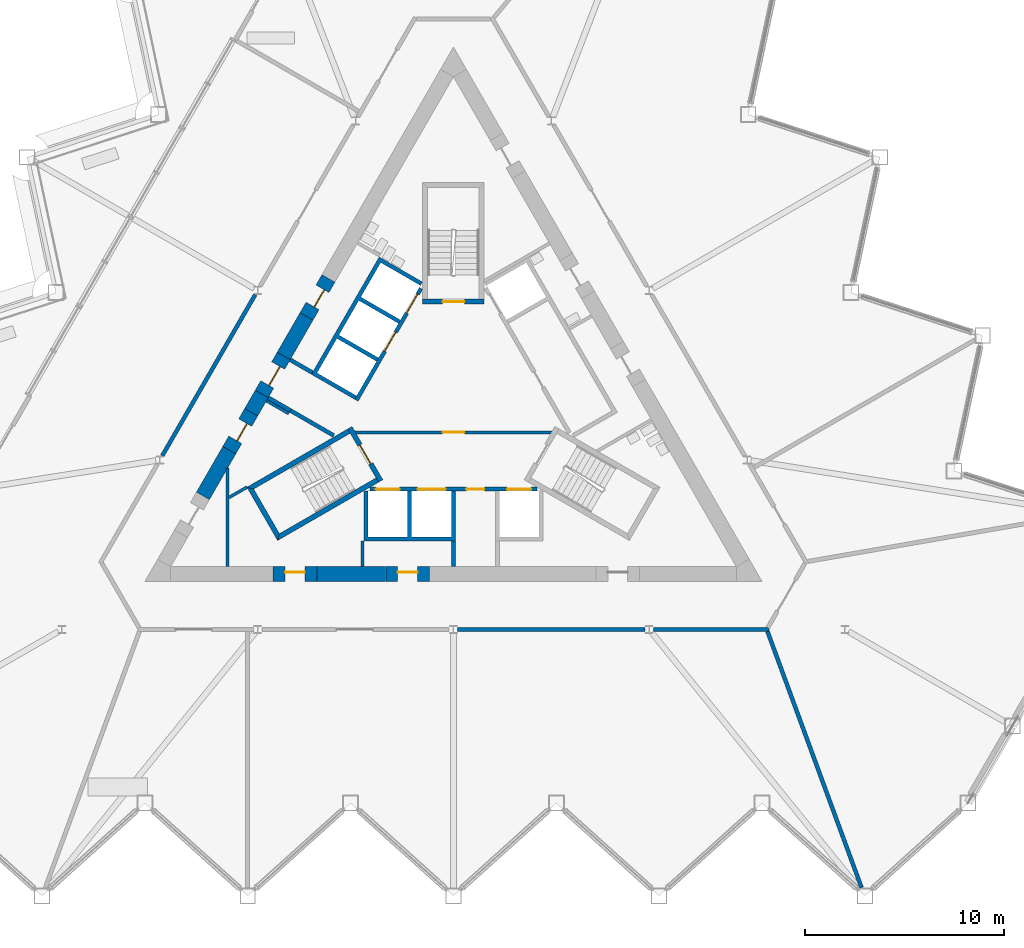
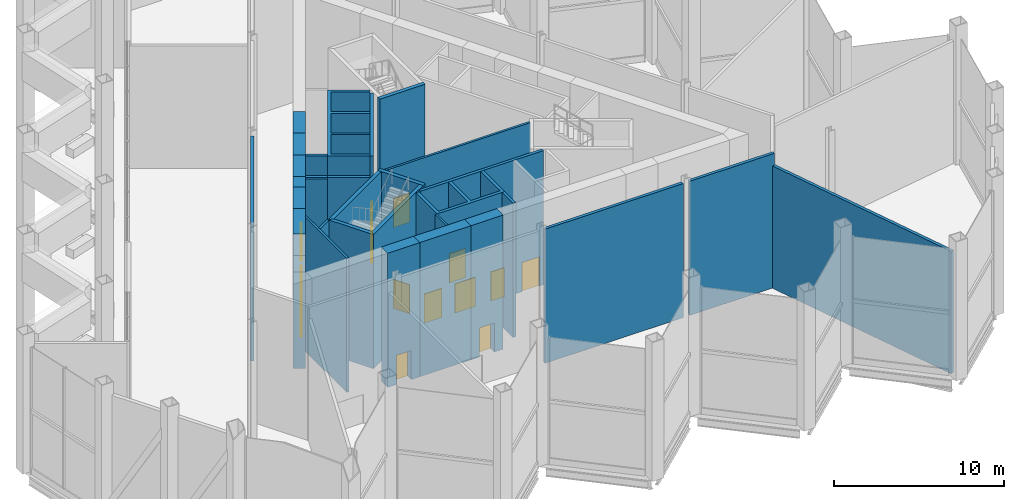
# One storey, part 9 of 18: 31 walls, 14 doors, 14 openings.
"""IFC4 building model written with IfcOpenShell, lengths in metres."""

from ifc_helpers import new_model, si_unit, direction, frame, frame_2d, origin, place, context, subcontext, project, spatial, polyline, rectangle, outline, extrude, material, layer, layer_set, type_object, element, fill, save


model = new_model("IFC4")

# Units and contexts
model_context = context("Model", 3, precision=1e-05, world=origin(), true_north=direction((0.0, 1.0)))
body_context = subcontext(model_context, "Body", "Model", "MODEL_VIEW")
ifc_project = project(units=[si_unit("LENGTHUNIT", "METRE"), si_unit("AREAUNIT", "SQUARE_METRE"), si_unit("VOLUMEUNIT", "CUBIC_METRE"), si_unit("PLANEANGLEUNIT", "RADIAN"), si_unit("MASSUNIT", "GRAM", prefix="KILO")], contexts=[model_context])

# Site, building, storey
site_placement = place(None, origin())
site = spatial("IfcSite", under=ifc_project, at=site_placement, CompositionType="ELEMENT")
building_placement = place(site_placement, origin())
building = spatial("IfcBuilding", under=site, at=building_placement, Name="Cormorant Prow Tower", CompositionType="ELEMENT")
storey_placement = place(building_placement, frame((0.0, 0.0, 216.0)))
storey = spatial("IfcBuildingStorey", under=building, at=storey_placement, Name="L48", CompositionType="ELEMENT", Elevation=216.0)

# Wall, opening, door
ifc_material_1 = material(Name="Gypsum board partition")
ifc_layer_1 = layer(ifc_material_1, 0.14990234375)
ifc_layer_set_1 = layer_set([ifc_layer_1], Name="Gypsum board partition")
wall_type_1 = type_object("IfcWallType", Name="Core partition 150", PredefinedType="PARTITIONING", material=ifc_layer_set_1)
wall_1_placement = place(storey_placement, frame((-4.941162109375, -1.449951171875, 0.0), z_axis=(0.0, 0.0, 1.0), x_axis=(1.0, 0.0, 0.0)))
wall_1 = element("IfcWall", 1, at=wall_1_placement, inside=storey, type_object=wall_type_1, Name="Firefighting lobby partition", PredefinedType="PARTITIONING", context=body_context, shape_type="SweptSolid", body=[
    extrude(rectangle(XDim=9.88232421875, YDim=0.14990234375, at=frame_2d((4.941162109375, 0.0))), origin(), (0.0, 0.0, 1.0), 9.64990234375),
])
opening_1_placement = place(wall_1_placement, frame((4.39111328125, 0.0, 0.0)))
opening_1 = element("IfcOpeningElement", 2, at=opening_1_placement, cuts=wall_1, Name="Opening L48-C09", PredefinedType="OPENING", context=body_context, shape_type="SweptSolid", body=[
    extrude(rectangle(XDim=1.10009765625, YDim=2.10009765625, at=frame_2d((0.550048828125, 1.050048828125))), frame((0.0, 0.0849609375, 0.0), z_axis=(0.0, -1.0, 0.0), x_axis=(1.0, 0.0, 0.0)), (0.0, 0.0, 1.0), 0.169921875),
])
ifc_material_2 = material(Name="Painted steel", Category="steel")
door_type_1 = type_object("IfcDoorType", Name="Firefighting lobby door 1100x2100", OperationType="NOTDEFINED", PredefinedType="DOOR", material=ifc_material_2)
door_1_placement = place(opening_1_placement, origin())
door_1 = element("IfcDoor", 3, at=door_1_placement, inside=storey, type_object=door_type_1, Name="Firefighting lobby door", OperationType="SINGLE_SWING_LEFT", OverallHeight=2.10009765625, OverallWidth=1.10009765625, PredefinedType="DOOR", context=body_context, shape_type="SweptSolid", body=[
    extrude(rectangle(XDim=1.10009765625, YDim=2.10009765625, at=frame_2d((0.550048828125, 1.050048828125))), frame((0.0, 0.02490234375, 0.0), z_axis=(0.0, -1.0, 0.0), x_axis=(1.0, 0.0, 0.0)), (0.0, 0.0, 1.0), 0.050048828125),
])
fill(opening_1, door_1)

# Walls
for number, where, z_axis, x_axis, name in (
    (4, (-8.268310546875, -0.509033203125, 0.0), (0.0, 0.0, 1.0), (-0.866003189247, 0.500038474733, 0.0), "Service room partition"),
    (5, (-4.574951171875, -6.906005859375, 0.0), (0.0, 0.0, 1.0), (0.0, -1.0, 0.0), "Service room partition"),
):
    element("IfcWall", number, at=place(storey_placement, frame(where, z_axis=z_axis, x_axis=x_axis)), inside=storey, type_object=wall_type_1, Name=name, PredefinedType="PARTITIONING", context=body_context, shape_type="SweptSolid", body=[
        extrude(rectangle(XDim=1.29296875, YDim=0.14990234375, at=frame_2d((0.646484375, 0.0))), origin(), (0.0, 0.0, 1.0), 9.64990234375),
    ])
wall_2_placement = place(storey_placement, frame((-11.335693359375, -8.198974609375, 0.0), z_axis=(0.0, 0.0, 1.0), x_axis=(0.0, 1.0, 0.0)))
element("IfcWall", 6, at=wall_2_placement, inside=storey, type_object=wall_type_1, Name="Service room partition", PredefinedType="PARTITIONING", context=body_context, shape_type="SweptSolid", body=[
    extrude(rectangle(XDim=4.962890625, YDim=0.14990234375, at=frame_2d((2.4814453125, 0.0))), origin(), (0.0, 0.0, 1.0), 9.64990234375),
])
wall_3_placement = place(storey_placement, frame((-10.37353515625, -4.206298828125, 0.0), z_axis=(0.0, 0.0, 1.0), x_axis=(-0.866034781647, -0.499983756713, 0.0)))
element("IfcWall", 7, at=wall_3_placement, inside=storey, type_object=wall_type_1, Name="Service room partition", PredefinedType="PARTITIONING", context=body_context, shape_type="SweptSolid", body=[
    extrude(rectangle(XDim=1.0244140625, YDim=0.14990234375, at=frame_2d((0.51220703125, 0.0))), origin(), (0.0, 0.0, 1.0), 9.64990234375),
])
ifc_material_3 = material(Name="Concrete 8000 psi", Category="concrete")
ifc_layer_2 = layer(ifc_material_3, 0.75)
ifc_layer_set_2 = layer_set([ifc_layer_2], Name="Concrete 8000 psi")
wall_type_2 = type_object("IfcWallType", Name="Core shear wall 750", PredefinedType="SHEAR", material=ifc_layer_set_2)
wall_4_placement = place(storey_placement, frame((-6.855224609375, -8.573974609375, 0.0), z_axis=(0.0, 0.0, 1.0), x_axis=(1.0, 0.0, 0.0)))
element("IfcWall", 8, at=wall_4_placement, inside=storey, type_object=wall_type_2, Name="Core wall", PredefinedType="SHEAR", context=body_context, shape_type="SweptSolid", body=[
    extrude(rectangle(XDim=3.455322265625, YDim=0.75, at=frame_2d((1.7275390625, 0.0))), origin(), (0.0, 0.0, 1.0), 9.64990234375),
])
wall_5_placement = place(storey_placement, frame((-11.25537109375, -2.346923828125, 0.0), z_axis=(0.0, 0.0, 1.0), x_axis=(-0.499982920237, -0.866035264566, 0.0)))
element("IfcWall", 9, at=wall_5_placement, inside=storey, type_object=wall_type_2, Name="Core wall", PredefinedType="SHEAR", context=body_context, shape_type="SweptSolid", body=[
    extrude(rectangle(XDim=2.650390625, YDim=0.75, at=frame_2d((1.3251953125, 0.0))), origin(), (0.0, 0.0, 1.0), 9.64990234375),
])
wall_6_placement = place(storey_placement, frame((-7.375244140625, 4.37353515625, 0.0), z_axis=(0.0, 0.0, 1.0), x_axis=(-0.499952165731, -0.866053019151, 0.0)))
element("IfcWall", 10, at=wall_6_placement, inside=storey, type_object=wall_type_2, Name="Core wall", PredefinedType="SHEAR", context=body_context, shape_type="SweptSolid", body=[
    extrude(rectangle(XDim=2.300048828125, YDim=0.75, at=frame_2d((1.14990234375, 0.0))), origin(), (0.0, 0.0, 1.0), 9.64990234375),
])
wall_7_placement = place(storey_placement, frame((-9.625244140625, 0.4765625, 0.0), z_axis=(0.0, 0.0, 1.0), x_axis=(-0.499928435111, -0.86606671785, 0.0)))
element("IfcWall", 11, at=wall_7_placement, inside=storey, type_object=wall_type_2, Name="Core wall", PredefinedType="SHEAR", context=body_context, shape_type="SweptSolid", body=[
    extrude(rectangle(XDim=1.060302734375, YDim=0.75, at=frame_2d((0.5302734375, 0.0))), origin(), (0.0, 0.0, 1.0), 9.64990234375),
])

# Wall, opening, door
wall_8_placement = place(storey_placement, frame((-3.39990234375, -8.573974609375, 0.0), z_axis=(0.0, 0.0, 1.0), x_axis=(1.0, 0.0, 0.0)))
wall_8 = element("IfcWall", 12, at=wall_8_placement, inside=storey, type_object=wall_type_2, Name="Core wall door panel", PredefinedType="SHEAR", context=body_context, shape_type="SweptSolid", body=[
    extrude(rectangle(XDim=2.199951171875, YDim=0.75, at=frame_2d((1.10009765625, 0.0))), origin(), (0.0, 0.0, 1.0), 9.64990234375),
])
opening_2_placement = place(wall_8_placement, frame((0.60009765625, 0.0, 0.0)))
opening_2 = element("IfcOpeningElement", 13, at=opening_2_placement, cuts=wall_8, Name="Opening L48-C13", PredefinedType="OPENING", context=body_context, shape_type="SweptSolid", body=[
    extrude(rectangle(XDim=1.0, YDim=2.10009765625, at=frame_2d((0.5, 1.050048828125))), frame((0.0, 0.385009765625, 0.0), z_axis=(0.0, -1.0, 0.0), x_axis=(1.0, 0.0, 0.0)), (0.0, 0.0, 1.0), 0.77001953125),
])
ifc_material_4 = material(Name="Painted steel", Category="steel")
door_type_2 = type_object("IfcDoorType", Name="Service door 1000x2100", OperationType="NOTDEFINED", PredefinedType="DOOR", material=ifc_material_4)
door_2_placement = place(opening_2_placement, origin())
door_2 = element("IfcDoor", 14, at=door_2_placement, inside=storey, type_object=door_type_2, Name="Core door, Telecom room", OperationType="SINGLE_SWING_RIGHT", OverallHeight=2.10009765625, OverallWidth=1.0, PredefinedType="DOOR", context=body_context, shape_type="SweptSolid", body=[
    extrude(rectangle(XDim=1.0, YDim=2.10009765625, at=frame_2d((0.5, 1.050048828125))), frame((0.0, 0.1298828125, 0.0), z_axis=(0.0, -1.0, 0.0), x_axis=(1.0, 0.0, 0.0)), (0.0, 0.0, 1.0), 0.050048828125),
])
fill(opening_2, door_2)

wall_9_placement = place(storey_placement, frame((-9.055419921875, -8.573974609375, 0.0), z_axis=(0.0, 0.0, 1.0), x_axis=(1.0, 0.0, 0.0)))
wall_9 = element("IfcWall", 15, at=wall_9_placement, inside=storey, type_object=wall_type_2, Name="Core wall door panel", PredefinedType="SHEAR", context=body_context, shape_type="SweptSolid", body=[
    extrude(rectangle(XDim=2.2001953125, YDim=0.75, at=frame_2d((1.10009765625, 0.0))), origin(), (0.0, 0.0, 1.0), 9.64990234375),
])
opening_3_placement = place(wall_9_placement, frame((0.60009765625, 0.0, 0.0)))
opening_3 = element("IfcOpeningElement", 16, at=opening_3_placement, cuts=wall_9, Name="Opening L48-C16", PredefinedType="OPENING", context=body_context, shape_type="SweptSolid", body=[
    extrude(rectangle(XDim=1.0, YDim=2.10009765625, at=frame_2d((0.5, 1.050048828125))), frame((0.0, 0.385009765625, 0.0), z_axis=(0.0, -1.0, 0.0), x_axis=(1.0, 0.0, 0.0)), (0.0, 0.0, 1.0), 0.77001953125),
])
door_3_placement = place(opening_3_placement, origin())
door_3 = element("IfcDoor", 17, at=door_3_placement, inside=storey, type_object=door_type_2, Name="Core door, Mechanical riser room", OperationType="SINGLE_SWING_LEFT", OverallHeight=2.10009765625, OverallWidth=1.0, PredefinedType="DOOR", context=body_context, shape_type="SweptSolid", body=[
    extrude(rectangle(XDim=1.0, YDim=2.10009765625, at=frame_2d((0.5, 1.050048828125))), frame((0.0, 0.1298828125, 0.0), z_axis=(0.0, -1.0, 0.0), x_axis=(1.0, 0.0, 0.0)), (0.0, 0.0, 1.0), 0.050048828125),
])
fill(opening_3, door_3)

wall_10_placement = place(storey_placement, frame((-6.275390625, 6.27880859375, 0.0), z_axis=(0.0, 0.0, 1.0), x_axis=(-0.499946605688, -0.86605622881, 0.0)))
wall_10 = element("IfcWall", 18, at=wall_10_placement, inside=storey, type_object=wall_type_2, Name="Core wall door panel", PredefinedType="SHEAR", context=body_context, shape_type="SweptSolid", body=[
    extrude(rectangle(XDim=2.199951171875, YDim=0.75, at=frame_2d((1.10009765625, 0.0))), origin(), (0.0, 0.0, 1.0), 9.64990234375),
])
opening_4_placement = place(wall_10_placement, frame((0.60009765625, 0.0, 0.0)))
opening_4 = element("IfcOpeningElement", 19, at=opening_4_placement, cuts=wall_10, Name="Opening L48-C18", PredefinedType="OPENING", context=body_context, shape_type="SweptSolid", body=[
    extrude(rectangle(XDim=1.0, YDim=2.10009765625, at=frame_2d((0.5, 1.050048828125))), frame((0.0, 0.385009765625, 0.0), z_axis=(0.0, -1.0, 0.0), x_axis=(1.0, 0.0, 0.0)), (0.0, 0.0, 1.0), 0.77001953125),
])
door_4_placement = place(opening_4_placement, origin())
door_4 = element("IfcDoor", 20, at=door_4_placement, inside=storey, type_object=door_type_2, Name="Core door, Pantry store", OperationType="SINGLE_SWING_RIGHT", OverallHeight=2.10009765625, OverallWidth=1.0, PredefinedType="DOOR", context=body_context, shape_type="SweptSolid", body=[
    extrude(rectangle(XDim=1.0, YDim=2.10009765625, at=frame_2d((0.5, 1.050048828125))), frame((0.0, 0.1298828125, 0.0), z_axis=(0.0, -1.0, 0.0), x_axis=(1.0, 0.0, 0.0)), (0.0, 0.0, 1.0), 0.050048828125),
])
fill(opening_4, door_4)

wall_11_placement = place(storey_placement, frame((-10.155517578125, -0.441650390625, 0.0), z_axis=(0.0, 0.0, 1.0), x_axis=(-0.499946605688, -0.86605622881, 0.0)))
wall_11 = element("IfcWall", 21, at=wall_11_placement, inside=storey, type_object=wall_type_2, Name="Core wall door panel", PredefinedType="SHEAR", context=body_context, shape_type="SweptSolid", body=[
    extrude(rectangle(XDim=2.199951171875, YDim=0.75, at=frame_2d((1.10009765625, 0.0))), origin(), (0.0, 0.0, 1.0), 9.64990234375),
])
opening_5_placement = place(wall_11_placement, frame((0.60009765625, 0.0, 0.0)))
opening_5 = element("IfcOpeningElement", 22, at=opening_5_placement, cuts=wall_11, Name="Opening L48-C21", PredefinedType="OPENING", context=body_context, shape_type="SweptSolid", body=[
    extrude(rectangle(XDim=1.0, YDim=2.10009765625, at=frame_2d((0.5, 1.050048828125))), frame((0.0, 0.385009765625, 0.0), z_axis=(0.0, -1.0, 0.0), x_axis=(1.0, 0.0, 0.0)), (0.0, 0.0, 1.0), 0.77001953125),
])
door_5_placement = place(opening_5_placement, origin())
door_5 = element("IfcDoor", 23, at=door_5_placement, inside=storey, type_object=door_type_2, Name="Core door, Mechanical riser room", OperationType="SINGLE_SWING_LEFT", OverallHeight=2.10009765625, OverallWidth=1.0, PredefinedType="DOOR", context=body_context, shape_type="SweptSolid", body=[
    extrude(rectangle(XDim=1.0, YDim=2.10009765625, at=frame_2d((0.5, 1.050048828125))), frame((0.0, 0.1298828125, 0.0), z_axis=(0.0, -1.0, 0.0), x_axis=(1.0, 0.0, 0.0)), (0.0, 0.0, 1.0), 0.050048828125),
])
fill(opening_5, door_5)

wall_12_placement = place(storey_placement, frame((-8.525146484375, 2.381591796875, 0.0), z_axis=(0.0, 0.0, 1.0), x_axis=(-0.500077893725, -0.86598042715, 0.0)))
wall_12 = element("IfcWall", 24, at=wall_12_placement, inside=storey, type_object=wall_type_2, Name="Core wall door panel", PredefinedType="SHEAR", context=body_context, shape_type="SweptSolid", body=[
    extrude(rectangle(XDim=2.199951171875, YDim=0.75, at=frame_2d((1.10009765625, 0.0))), origin(), (0.0, 0.0, 1.0), 9.64990234375),
])
opening_6_placement = place(wall_12_placement, frame((0.550048828125, 0.0, 0.0)))
opening_6 = element("IfcOpeningElement", 25, at=opening_6_placement, cuts=wall_12, Name="Opening L48-C22", PredefinedType="OPENING", context=body_context, shape_type="SweptSolid", body=[
    extrude(rectangle(XDim=1.10009765625, YDim=2.10009765625, at=frame_2d((0.550048828125, 1.050048828125))), frame((0.0, 0.385009765625, 0.0), z_axis=(0.0, -1.0, 0.0), x_axis=(1.0, 0.0, 0.0)), (0.0, 0.0, 1.0), 0.77001953125),
])
ifc_material_5 = material(Name="Painted steel", Category="steel")
door_type_3 = type_object("IfcDoorType", Name="Core door 1100x2100", OperationType="NOTDEFINED", PredefinedType="DOOR", material=ifc_material_5)
door_6_placement = place(opening_6_placement, origin())
door_6 = element("IfcDoor", 26, at=door_6_placement, inside=storey, type_object=door_type_3, Name="Core door, lift lobby", OperationType="SINGLE_SWING_LEFT", OverallHeight=2.10009765625, OverallWidth=1.10009765625, PredefinedType="DOOR", context=body_context, shape_type="SweptSolid", body=[
    extrude(rectangle(XDim=1.10009765625, YDim=2.10009765625, at=frame_2d((0.550048828125, 1.050048828125))), frame((0.0, 0.1298828125, 0.0), z_axis=(0.0, -1.0, 0.0), x_axis=(1.0, 0.0, 0.0)), (0.0, 0.0, 1.0), 0.050048828125),
])
fill(opening_6, door_6)

# Walls
ifc_material_6 = material(Name="Gypsum board corridor wall")
ifc_layer_3 = layer(ifc_material_6, 0.199951171875)
ifc_layer_set_3 = layer_set([ifc_layer_3], Name="Gypsum board corridor wall")
wall_type_3 = type_object("IfcWallType", Name="Corridor wall 200", PredefinedType="PARTITIONING", material=ifc_layer_set_3)
wall_13_placement = place(storey_placement, frame((0.213623046875, -11.348876953125, 0.0), z_axis=(0.0, 0.0, 1.0), x_axis=(1.0, 0.0, 0.0)))
element("IfcWall", 27, at=wall_13_placement, inside=storey, type_object=wall_type_3, Name="Corridor wall", PredefinedType="PARTITIONING", context=body_context, shape_type="SweptSolid", body=[
    extrude(rectangle(XDim=9.401123046875, YDim=0.199951171875, at=frame_2d((4.70068359375, 0.0))), origin(), (0.0, 0.0, 1.0), 9.64990234375),
])
wall_14_placement = place(storey_placement, frame((-14.619384765625, -2.62353515625, 0.0), z_axis=(0.0, 0.0, 1.0), x_axis=(0.50000393355, 0.866023132736, 0.0)))
element("IfcWall", 28, at=wall_14_placement, inside=storey, type_object=wall_type_3, Name="Corridor wall", PredefinedType="PARTITIONING", context=body_context, shape_type="SweptSolid", body=[
    extrude(rectangle(XDim=9.3349609375, YDim=0.199951171875, at=frame_2d((4.66748046875, 0.0))), origin(), (0.0, 0.0, 1.0), 9.64990234375),
])
wall_15_placement = place(storey_placement, frame((10.042236328125, -11.348876953125, 0.0), z_axis=(0.0, 0.0, 1.0), x_axis=(1.0, 0.0, 0.0)))
element("IfcWall", 29, at=wall_15_placement, inside=storey, type_object=wall_type_3, Name="Corridor wall", PredefinedType="PARTITIONING", context=body_context, shape_type="SweptSolid", body=[
    extrude(rectangle(XDim=5.78857421875, YDim=0.199951171875, at=frame_2d((2.894287109375, 0.0))), origin(), (0.0, 0.0, 1.0), 9.64990234375),
])
ifc_material_7 = material(Name="Gypsum board demising wall")
ifc_layer_4 = layer(ifc_material_7, 0.199951171875)
ifc_layer_set_4 = layer_set([ifc_layer_4], Name="Gypsum board demising wall")
wall_type_4 = type_object("IfcWallType", Name="Demising wall 200", PredefinedType="PARTITIONING", material=ifc_layer_set_4)
wall_16_placement = place(storey_placement, frame((15.765380859375, -11.44287109375, 0.0), z_axis=(0.0, 0.0, 1.0), x_axis=(0.344647088239, -0.938732328498, 0.0)))
element("IfcWall", 30, at=wall_16_placement, inside=storey, type_object=wall_type_4, Name="Demising wall", PredefinedType="PARTITIONING", context=body_context, shape_type="SweptSolid", body=[
    extrude(rectangle(XDim=13.70849609375, YDim=0.199951171875, at=frame_2d((6.854248046875, 0.0))), origin(), (0.0, 0.0, 1.0), 8.80419921875),
])

# Wall, openings, doors
ifc_material_8 = material(Name="Concrete 5000 psi", Category="concrete")
ifc_layer_5 = layer(ifc_material_8, 0.199951171875)
ifc_layer_set_5 = layer_set([ifc_layer_5], Name="Concrete 5000 psi")
wall_type_5 = type_object("IfcWallType", Name="Lift lobby wall 200", PredefinedType="SOLIDWALL", material=ifc_layer_set_5)
wall_17_placement = place(storey_placement, frame((-4.1865234375, -4.300048828125, 0.0), z_axis=(0.0, 0.0, 1.0), x_axis=(1.0, 0.0, 0.0)))
wall_17 = element("IfcWall", 31, at=wall_17_placement, inside=storey, type_object=wall_type_5, Name="Lift lobby wall, S block", PredefinedType="SOLIDWALL", context=body_context, shape_type="SweptSolid", body=[
    extrude(rectangle(XDim=8.373046875, YDim=0.199951171875, at=frame_2d((4.1865234375, 0.0))), origin(), (0.0, 0.0, 1.0), 9.64990234375),
])
opening_7_placement = place(wall_17_placement, frame((0.28662109375, 0.0, 0.0)))
opening_7 = element("IfcOpeningElement", 32, at=opening_7_placement, cuts=wall_17, Name="Opening L48-C01", PredefinedType="OPENING", context=body_context, shape_type="SweptSolid", body=[
    extrude(rectangle(XDim=1.199951171875, YDim=2.10009765625, at=frame_2d((0.60009765625, 1.050048828125))), frame((0.0, 0.10986328125, 0.0), z_axis=(0.0, -1.0, 0.0), x_axis=(1.0, 0.0, 0.0)), (0.0, 0.0, 1.0), 0.219970703125),
])
opening_8_placement = place(wall_17_placement, frame((2.38671875, 0.0, 0.0)))
opening_8 = element("IfcOpeningElement", 33, at=opening_8_placement, cuts=wall_17, Name="Opening L48-C02", PredefinedType="OPENING", context=body_context, shape_type="SweptSolid", body=[
    extrude(rectangle(XDim=1.39990234375, YDim=2.10009765625, at=frame_2d((0.699951171875, 1.050048828125))), frame((0.0, 0.10986328125, 0.0), z_axis=(0.0, -1.0, 0.0), x_axis=(1.0, 0.0, 0.0)), (0.0, 0.0, 1.0), 0.219970703125),
])
opening_9_placement = place(wall_17_placement, frame((4.836669921875, 0.0, 0.0)))
opening_9 = element("IfcOpeningElement", 34, at=opening_9_placement, cuts=wall_17, Name="Opening L48-C03", PredefinedType="OPENING", context=body_context, shape_type="SweptSolid", body=[
    extrude(rectangle(XDim=0.89990234375, YDim=2.10009765625, at=frame_2d((0.449951171875, 1.050048828125))), frame((0.0, 0.10986328125, 0.0), z_axis=(0.0, -1.0, 0.0), x_axis=(1.0, 0.0, 0.0)), (0.0, 0.0, 1.0), 0.219970703125),
])
opening_10_placement = place(wall_17_placement, frame((6.88671875, 0.0, 0.0)))
opening_10 = element("IfcOpeningElement", 35, at=opening_10_placement, cuts=wall_17, Name="Opening L48-C04", PredefinedType="OPENING", context=body_context, shape_type="SweptSolid", body=[
    extrude(rectangle(XDim=1.199951171875, YDim=2.10009765625, at=frame_2d((0.60009765625, 1.050048828125))), frame((0.0, 0.10986328125, 0.0), z_axis=(0.0, -1.0, 0.0), x_axis=(1.0, 0.0, 0.0)), (0.0, 0.0, 1.0), 0.219970703125),
])
ifc_material_9 = material(Name="Painted steel", Category="steel")
door_type_4 = type_object("IfcDoorType", Name="Firefighting lift landing door 1200x2100", OperationType="SLIDING_TO_LEFT", PredefinedType="DOOR", material=ifc_material_9)
door_7_placement = place(opening_7_placement, origin())
door_7 = element("IfcDoor", 36, at=door_7_placement, inside=storey, type_object=door_type_4, Name="Landing door FL1", OperationType="SLIDING_TO_LEFT", OverallHeight=2.10009765625, OverallWidth=1.199951171875, PredefinedType="DOOR", context=body_context, shape_type="SweptSolid", body=[
    extrude(rectangle(XDim=1.199951171875, YDim=2.10009765625, at=frame_2d((0.60009765625, 1.050048828125))), frame((0.0, 0.02490234375, 0.0), z_axis=(0.0, -1.0, 0.0), x_axis=(1.0, 0.0, 0.0)), (0.0, 0.0, 1.0), 0.050048828125),
])
fill(opening_7, door_7)
door_8_placement = place(opening_10_placement, origin())
door_8 = element("IfcDoor", 37, at=door_8_placement, inside=storey, type_object=door_type_4, Name="Landing door FL2", OperationType="SLIDING_TO_LEFT", OverallHeight=2.10009765625, OverallWidth=1.199951171875, PredefinedType="DOOR", context=body_context, shape_type="SweptSolid", body=[
    extrude(rectangle(XDim=1.199951171875, YDim=2.10009765625, at=frame_2d((0.60009765625, 1.050048828125))), frame((0.0, 0.02490234375, 0.0), z_axis=(0.0, -1.0, 0.0), x_axis=(1.0, 0.0, 0.0)), (0.0, 0.0, 1.0), 0.050048828125),
])
fill(opening_10, door_8)
ifc_material_10 = material(Name="Painted steel", Category="steel")
door_type_5 = type_object("IfcDoorType", Name="Service door 900x2100", OperationType="NOTDEFINED", PredefinedType="DOOR", material=ifc_material_10)
door_9_placement = place(opening_9_placement, origin())
door_9 = element("IfcDoor", 38, at=door_9_placement, inside=storey, type_object=door_type_5, Name="Service door, Refuse store", OperationType="SINGLE_SWING_RIGHT", OverallHeight=2.10009765625, OverallWidth=0.89990234375, PredefinedType="DOOR", context=body_context, shape_type="SweptSolid", body=[
    extrude(rectangle(XDim=0.89990234375, YDim=2.10009765625, at=frame_2d((0.449951171875, 1.050048828125))), frame((0.0, 0.02490234375, 0.0), z_axis=(0.0, -1.0, 0.0), x_axis=(1.0, 0.0, 0.0)), (0.0, 0.0, 1.0), 0.050048828125),
])
fill(opening_9, door_9)
ifc_material_11 = material(Name="Painted steel", Category="steel")
door_type_6 = type_object("IfcDoorType", Name="Service lift landing door 1400x2100", OperationType="SLIDING_TO_LEFT", PredefinedType="DOOR", material=ifc_material_11)
door_10_placement = place(opening_8_placement, origin())
door_10 = element("IfcDoor", 39, at=door_10_placement, inside=storey, type_object=door_type_6, Name="Landing door SL1", OperationType="SLIDING_TO_LEFT", OverallHeight=2.10009765625, OverallWidth=1.39990234375, PredefinedType="DOOR", context=body_context, shape_type="SweptSolid", body=[
    extrude(rectangle(XDim=1.39990234375, YDim=2.10009765625, at=frame_2d((0.699951171875, 1.050048828125))), frame((0.0, 0.02490234375, 0.0), z_axis=(0.0, -1.0, 0.0), x_axis=(1.0, 0.0, 0.0)), (0.0, 0.0, 1.0), 0.050048828125),
])
fill(opening_8, door_10)

wall_18_placement = place(storey_placement, frame((-1.630615234375, 5.775634765625, 0.0), z_axis=(0.0, 0.0, 1.0), x_axis=(-0.499992876559, -0.866029516466, 0.0)))
wall_18 = element("IfcWall", 40, at=wall_18_placement, inside=storey, type_object=wall_type_5, Name="Lift lobby wall, WNW block", PredefinedType="SOLIDWALL", context=body_context, shape_type="SweptSolid", body=[
    extrude(rectangle(XDim=6.486328125, YDim=0.199951171875, at=frame_2d((3.2431640625, 0.0))), origin(), (0.0, 0.0, 1.0), 9.64990234375),
])
opening_11_placement = place(wall_18_placement, frame((0.336669921875, 0.0, 0.0)))
opening_11 = element("IfcOpeningElement", 41, at=opening_11_placement, cuts=wall_18, Name="Opening L48-C07", PredefinedType="OPENING", context=body_context, shape_type="SweptSolid", body=[
    extrude(rectangle(XDim=1.10009765625, YDim=2.10009765625, at=frame_2d((0.550048828125, 1.050048828125))), frame((0.0, 0.10986328125, 0.0), z_axis=(0.0, -1.0, 0.0), x_axis=(1.0, 0.0, 0.0)), (0.0, 0.0, 1.0), 0.219970703125),
])
opening_12_placement = place(wall_18_placement, frame((2.53662109375, 0.0, 0.0)))
opening_12 = element("IfcOpeningElement", 42, at=opening_12_placement, cuts=wall_18, Name="Opening L48-C08", PredefinedType="OPENING", context=body_context, shape_type="SweptSolid", body=[
    extrude(rectangle(XDim=1.10009765625, YDim=2.10009765625, at=frame_2d((0.550048828125, 1.050048828125))), frame((0.0, 0.10986328125, 0.0), z_axis=(0.0, -1.0, 0.0), x_axis=(1.0, 0.0, 0.0)), (0.0, 0.0, 1.0), 0.219970703125),
])
ifc_material_12 = material(Name="Painted steel", Category="steel")
door_type_7 = type_object("IfcDoorType", Name="Lift landing door 1100x2100", OperationType="SLIDING_TO_LEFT", PredefinedType="DOOR", material=ifc_material_12)
door_11_placement = place(opening_11_placement, origin())
door_11 = element("IfcDoor", 43, at=door_11_placement, inside=storey, type_object=door_type_7, Name="Landing door MR2", OperationType="SLIDING_TO_LEFT", OverallHeight=2.10009765625, OverallWidth=1.10009765625, PredefinedType="DOOR", context=body_context, shape_type="SweptSolid", body=[
    extrude(rectangle(XDim=1.10009765625, YDim=2.10009765625, at=frame_2d((0.550048828125, 1.050048828125))), frame((0.0, 0.02490234375, 0.0), z_axis=(0.0, -1.0, 0.0), x_axis=(1.0, 0.0, 0.0)), (0.0, 0.0, 1.0), 0.050048828125),
])
fill(opening_11, door_11)
door_12_placement = place(opening_12_placement, origin())
door_12 = element("IfcDoor", 44, at=door_12_placement, inside=storey, type_object=door_type_7, Name="Landing door MR3", OperationType="SLIDING_TO_LEFT", OverallHeight=2.10009765625, OverallWidth=1.10009765625, PredefinedType="DOOR", context=body_context, shape_type="SweptSolid", body=[
    extrude(rectangle(XDim=1.10009765625, YDim=2.10009765625, at=frame_2d((0.550048828125, 1.050048828125))), frame((0.0, 0.02490234375, 0.0), z_axis=(0.0, -1.0, 0.0), x_axis=(1.0, 0.0, 0.0)), (0.0, 0.0, 1.0), 0.050048828125),
])
fill(opening_12, door_12)

# Walls
ifc_material_13 = material(Name="Concrete 8000 psi", Category="concrete")
ifc_layer_6 = layer(ifc_material_13, 0.199951171875)
ifc_layer_set_6 = layer_set([ifc_layer_6], Name="Concrete 8000 psi")
wall_type_6 = type_object("IfcWallType", Name="Lift shaft wall 200", PredefinedType="SHEAR", material=ifc_layer_set_6)
wall_19_placement = place(storey_placement, origin())
element("IfcWall", 45, at=wall_19_placement, inside=storey, type_object=wall_type_6, Name="Lift shaft walls, S block", PredefinedType="SHEAR", context=body_context, shape_type="SweptSolid", body=[
    extrude(outline(polyline([(0.10009765625, -4.39990234375), (0.10009765625, -6.906005859375), (-4.5, -6.906005859375), (-4.5, -4.39990234375), (-4.300048828125, -4.39990234375), (-4.300048828125, -6.699951171875), (-2.300048828125, -6.699951171875), (-2.300048828125, -4.39990234375), (-2.10009765625, -4.39990234375), (-2.10009765625, -6.699951171875), (-0.10009765625, -6.699951171875), (-0.10009765625, -4.39990234375), (0.10009765625, -4.39990234375)])), origin(), (0.0, 0.0, 1.0), 9.64990234375),
])
wall_20_placement = place(storey_placement, frame((0.0, -6.906005859375, 0.0), z_axis=(0.0, 0.0, 1.0), x_axis=(0.0, -1.0, 0.0)))
element("IfcWall", 46, at=wall_20_placement, inside=storey, type_object=wall_type_6, Name="Store side wall", PredefinedType="SHEAR", context=body_context, shape_type="SweptSolid", body=[
    extrude(rectangle(XDim=1.29296875, YDim=0.199951171875, at=frame_2d((0.646484375, 0.0))), origin(), (0.0, 0.0, 1.0), 9.64990234375),
])
wall_21_placement = place(storey_placement, origin())
element("IfcWall", 47, at=wall_21_placement, inside=storey, type_object=wall_type_6, Name="Lift shaft walls, WNW block", PredefinedType="SHEAR", context=body_context, shape_type="SweptSolid", body=[
    extrude(outline(polyline([(-6.060546875, -1.697021484375), (-8.230712890625, -0.444091796875), (-8.130859375, -0.27099609375), (-5.96044921875, -1.52392578125), (-6.060546875, -1.697021484375)])), origin(), (0.0, 0.0, 1.0), 9.64990234375),
])
wall_22_placement = place(storey_placement, origin())
element("IfcWall", 48, at=wall_22_placement, inside=storey, type_object=wall_type_6, Name="Lift shaft walls, WNW block", PredefinedType="SHEAR", context=body_context, shape_type="SweptSolid", body=[
    extrude(outline(polyline([(-4.96044921875, 0.2080078125), (-7.130859375, 1.461181640625), (-3.730712890625, 7.35009765625), (-1.560546875, 6.09716796875), (-1.660400390625, 5.923828125), (-3.65234375, 7.073974609375), (-4.65234375, 5.341796875), (-2.660400390625, 4.19189453125), (-2.760498046875, 4.018798828125), (-4.75244140625, 5.168701171875), (-5.75244140625, 3.4365234375), (-3.760498046875, 2.28662109375), (-3.860595703125, 2.11328125), (-5.852294921875, 3.263427734375), (-6.852294921875, 1.53125), (-4.860595703125, 0.38134765625), (-4.96044921875, 0.2080078125)])), origin(), (0.0, 0.0, 1.0), 9.64990234375),
])
for number, where, z_axis, x_axis, name in (
    (49, (-7.080810546875, 1.547607421875, 0.0), (0.0, 0.0, 1.0), (-0.866003189247, 0.500038474733, 0.0), "Lobby passage wall"),
    (50, (-8.180908203125, -0.357421875, 0.0), (0.0, 0.0, 1.0), (-0.866003189247, 0.500038474733, 0.0), "Lobby passage wall"),
):
    element("IfcWall", number, at=place(storey_placement, frame(where, z_axis=z_axis, x_axis=x_axis)), inside=storey, type_object=wall_type_6, Name=name, PredefinedType="SHEAR", context=body_context, shape_type="SweptSolid", body=[
        extrude(rectangle(XDim=1.29296875, YDim=0.199951171875, at=frame_2d((0.646484375, 0.0))), origin(), (0.0, 0.0, 1.0), 9.64990234375),
    ])
ifc_material_14 = material(Name="Concrete 8000 psi", Category="concrete")
ifc_layer_7 = layer(ifc_material_14, 0.25)
ifc_layer_set_7 = layer_set([ifc_layer_7], Name="Concrete 8000 psi")
wall_type_7 = type_object("IfcWallType", Name="Stair wall 250", PredefinedType="SHEAR", material=ifc_layer_set_7)
wall_23_placement = place(storey_placement, origin())
element("IfcWall", 51, at=wall_23_placement, inside=storey, type_object=wall_type_7, Name="Stair ST1 enclosure wall (flank)", PredefinedType="SHEAR", context=body_context, shape_type="SweptSolid", body=[
    extrude(outline(polyline([(-5.30712890625, -1.28125), (-10.37353515625, -4.206298828125), (-10.031982421875, -4.2978515625), (-5.18212890625, -1.497802734375), (-5.30712890625, -1.28125)])), origin(), (0.0, 0.0, 1.0), 9.64990234375),
])
wall_24_placement = place(storey_placement, origin())
element("IfcWall", 52, at=wall_24_placement, inside=storey, type_object=wall_type_7, Name="Stair ST1 enclosure wall (end)", PredefinedType="SHEAR", context=body_context, shape_type="SweptSolid", body=[
    extrude(outline(polyline([(-10.37353515625, -4.206298828125), (-8.82958984375, -6.880615234375), (-8.738037109375, -6.5390625), (-10.031982421875, -4.2978515625), (-10.37353515625, -4.206298828125)])), origin(), (0.0, 0.0, 1.0), 9.64990234375),
])
wall_25_placement = place(storey_placement, origin())
element("IfcWall", 53, at=wall_25_placement, inside=storey, type_object=wall_type_7, Name="Stair ST1 enclosure wall (flank)", PredefinedType="SHEAR", context=body_context, shape_type="SweptSolid", body=[
    extrude(outline(polyline([(-8.738037109375, -6.5390625), (-8.82958984375, -6.880615234375), (-3.76318359375, -3.95556640625), (-3.88818359375, -3.739013671875), (-8.738037109375, -6.5390625)])), origin(), (0.0, 0.0, 1.0), 9.64990234375),
])

# Wall, opening, door
wall_26_placement = place(storey_placement, frame((-5.198974609375, -1.21875, 0.0), z_axis=(0.0, 0.0, 1.0), x_axis=(0.499982516597, -0.866035497597, 0.0)))
wall_26 = element("IfcWall", 54, at=wall_26_placement, inside=storey, type_object=wall_type_7, Name="Stair ST1 door wall", PredefinedType="SHEAR", context=body_context, shape_type="SweptSolid", body=[
    extrude(rectangle(XDim=3.087890625, YDim=0.25, at=frame_2d((1.5439453125, 0.0))), origin(), (0.0, 0.0, 1.0), 9.64990234375),
])
opening_13_placement = place(wall_26_placement, frame((0.993896484375, 0.0, 0.0)))
opening_13 = element("IfcOpeningElement", 55, at=opening_13_placement, cuts=wall_26, Name="Opening L48-C10", PredefinedType="OPENING", context=body_context, shape_type="SweptSolid", body=[
    extrude(rectangle(XDim=1.10009765625, YDim=2.10009765625, at=frame_2d((0.550048828125, 1.050048828125))), frame((0.0, 0.135009765625, 0.0), z_axis=(0.0, -1.0, 0.0), x_axis=(1.0, 0.0, 0.0)), (0.0, 0.0, 1.0), 0.27001953125),
])
ifc_material_15 = material(Name="Painted steel", Category="steel")
door_type_8 = type_object("IfcDoorType", Name="Stair door 1100x2100", OperationType="NOTDEFINED", PredefinedType="DOOR", material=ifc_material_15)
door_13_placement = place(opening_13_placement, origin())
door_13 = element("IfcDoor", 56, at=door_13_placement, inside=storey, type_object=door_type_8, Name="Stair ST1 door", OperationType="SINGLE_SWING_LEFT", OverallHeight=2.10009765625, OverallWidth=1.10009765625, PredefinedType="DOOR", context=body_context, shape_type="SweptSolid", body=[
    extrude(rectangle(XDim=1.10009765625, YDim=2.10009765625, at=frame_2d((0.550048828125, 1.050048828125))), frame((0.0, 0.02490234375, 0.0), z_axis=(0.0, -1.0, 0.0), x_axis=(1.0, 0.0, 0.0)), (0.0, 0.0, 1.0), 0.050048828125),
])
fill(opening_13, door_13)

wall_27_placement = place(storey_placement, frame((1.5439453125, 5.11181640625, 0.0), z_axis=(0.0, 0.0, 1.0), x_axis=(-1.0, 0.0, 0.0)))
wall_27 = element("IfcWall", 57, at=wall_27_placement, inside=storey, type_object=wall_type_7, Name="Stair ST3 door wall", PredefinedType="SHEAR", context=body_context, shape_type="SweptSolid", body=[
    extrude(rectangle(XDim=3.087890625, YDim=0.25, at=frame_2d((1.5439453125, 0.0))), origin(), (0.0, 0.0, 1.0), 9.64990234375),
])
opening_14_placement = place(wall_27_placement, frame((0.993896484375, 0.0, 0.0)))
opening_14 = element("IfcOpeningElement", 58, at=opening_14_placement, cuts=wall_27, Name="Opening L48-C12", PredefinedType="OPENING", context=body_context, shape_type="SweptSolid", body=[
    extrude(rectangle(XDim=1.10009765625, YDim=2.10009765625, at=frame_2d((0.550048828125, 1.050048828125))), frame((0.0, 0.135009765625, 0.0), z_axis=(0.0, -1.0, 0.0), x_axis=(1.0, 0.0, 0.0)), (0.0, 0.0, 1.0), 0.27001953125),
])
door_14_placement = place(opening_14_placement, origin())
door_14 = element("IfcDoor", 59, at=door_14_placement, inside=storey, type_object=door_type_8, Name="Stair ST3 door", OperationType="SINGLE_SWING_RIGHT", OverallHeight=2.10009765625, OverallWidth=1.10009765625, PredefinedType="DOOR", context=body_context, shape_type="SweptSolid", body=[
    extrude(rectangle(XDim=1.10009765625, YDim=2.10009765625, at=frame_2d((0.550048828125, 1.050048828125))), frame((0.0, 0.02490234375, 0.0), z_axis=(0.0, -1.0, 0.0), x_axis=(1.0, 0.0, 0.0)), (0.0, 0.0, 1.0), 0.050048828125),
])
fill(opening_14, door_14)

save(model, "model.ifc")
